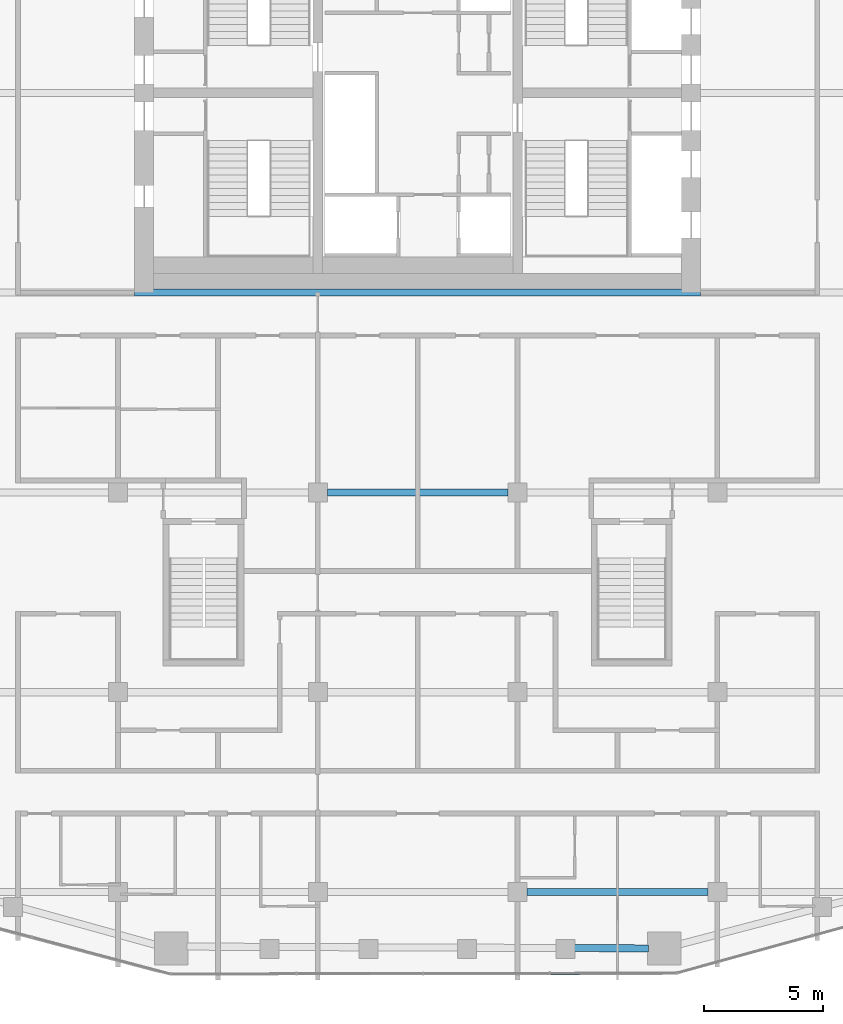
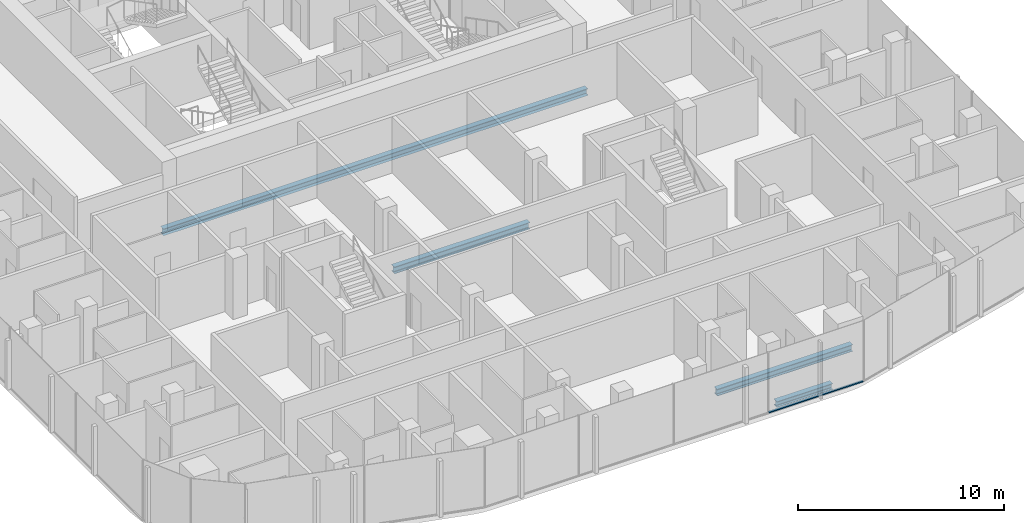
# One storey, part 5 of 22: 4 beams, 1 member, 1 element without a shape of its own.
"""IFC4 building model written with IfcOpenShell, lengths in metres."""

from ifc_helpers import new_model, si_unit, direction, frame, origin, origin_2d, place, context, subcontext, project, spatial, rectangle, i_section, extrude, material, layer, layer_set, material_profile, profile_set, type_object, element, aggregate, save


model = new_model("IFC4")

# Units and contexts
model_context = context("Model", 3, precision=1e-05, world=origin(), true_north=direction((0.0, 1.0)))
body_context = subcontext(model_context, "Body", "Model", "MODEL_VIEW")
ifc_project = project(units=[si_unit("LENGTHUNIT", "METRE"), si_unit("AREAUNIT", "SQUARE_METRE"), si_unit("VOLUMEUNIT", "CUBIC_METRE"), si_unit("PLANEANGLEUNIT", "RADIAN"), si_unit("MASSUNIT", "GRAM", prefix="KILO")], contexts=[model_context])

# Site, building, storey
site_placement = place(None, origin())
site = spatial("IfcSite", under=ifc_project, at=site_placement, CompositionType="ELEMENT")
building_placement = place(site_placement, origin())
building = spatial("IfcBuilding", under=site, at=building_placement, Name="Marenta Gate Hotel Tower", CompositionType="ELEMENT")
storey_placement = place(building_placement, frame((0.0, 0.0, 187.699951171875)))
storey = spatial("IfcBuildingStorey", under=building, at=storey_placement, Name="L42", CompositionType="ELEMENT", Elevation=187.699951171875)

# Beams
ifc_material_1 = material(Name="Steel S355", Category="steel")
ifc_material_profile_1 = material_profile(ifc_material_1, i_section(OverallWidth=0.300048828125, OverallDepth=0.340087890625, WebThickness=0.011962890625, FlangeThickness=0.021484375, FilletRadius=0.027099609375, at=origin_2d()), Name="HEB 340")
ifc_profile_set_1 = profile_set([ifc_material_profile_1], Name="Steel S355")
beam_type_1 = type_object("IfcBeamType", Name="Edge beam HEB 340", PredefinedType="SPANDREL", material=ifc_profile_set_1)
beam_1_placement = place(storey_placement, frame((9.706298828125, -27.570068359375, -0.429931640625), z_axis=(-0.999992678531, 0.003826602206, 0.0), x_axis=(-0.003826602206, -0.999992678531, 0.0)))
element("IfcBeam", 1, at=beam_1_placement, inside=storey, type_object=beam_type_1, Name="L42-EB-32", PredefinedType="SPANDREL", context=body_context, shape_type="SweptSolid", body=[
    extrude(i_section(OverallWidth=0.300048828125, OverallDepth=0.340087890625, WebThickness=0.011962890625, FlangeThickness=0.021484375, FilletRadius=0.027099609375, at=origin_2d()), origin(), (0.0, 0.0, 1.0), 3.126220703125),
])
ifc_material_2 = material(Name="Steel S355", Category="steel")
ifc_material_profile_2 = material_profile(ifc_material_2, i_section(OverallWidth=0.300048828125, OverallDepth=0.39990234375, WebThickness=0.013427734375, FlangeThickness=0.02392578125, FilletRadius=0.027099609375, at=origin_2d()), Name="HEB 400")
ifc_profile_set_2 = profile_set([ifc_material_profile_2], Name="Steel S355")
beam_type_2 = type_object("IfcBeamType", Name="Girder HEB 400", PredefinedType="BEAM", material=ifc_profile_set_2)
beam_2_placement = place(storey_placement, frame((4.60009765625, -25.199951171875, -0.4599609375), z_axis=(1.0, 0.0, 0.0), x_axis=(0.0, 1.0, 0.0)))
element("IfcBeam", 2, at=beam_2_placement, inside=storey, type_object=beam_type_2, Name="L42-GD-4", PredefinedType="BEAM", context=body_context, shape_type="SweptSolid", body=[
    extrude(i_section(OverallWidth=0.300048828125, OverallDepth=0.39990234375, WebThickness=0.013427734375, FlangeThickness=0.02392578125, FilletRadius=0.027099609375, at=origin_2d()), origin(), (0.0, 0.0, 1.0), 7.599853515625),
])
beam_3_placement = place(storey_placement, frame((-3.800048828125, -8.39990234375, -0.4599609375), z_axis=(1.0, 0.0, 0.0), x_axis=(0.0, 1.0, 0.0)))
element("IfcBeam", 3, at=beam_3_placement, inside=storey, type_object=beam_type_2, Name="L42-GD-16", PredefinedType="BEAM", context=body_context, shape_type="SweptSolid", body=[
    extrude(i_section(OverallWidth=0.300048828125, OverallDepth=0.39990234375, WebThickness=0.013427734375, FlangeThickness=0.02392578125, FilletRadius=0.027099609375, at=origin_2d()), origin(), (0.0, 0.0, 1.0), 7.60009765625),
])
beam_4_placement = place(storey_placement, frame((-11.89990234375, 0.0, -0.4599609375), z_axis=(1.0, 0.0, 0.0), x_axis=(0.0, 1.0, 0.0)))
element("IfcBeam", 4, at=beam_4_placement, inside=storey, type_object=beam_type_2, Name="L42-GD-22", PredefinedType="BEAM", context=body_context, shape_type="SweptSolid", body=[
    extrude(i_section(OverallWidth=0.300048828125, OverallDepth=0.39990234375, WebThickness=0.013427734375, FlangeThickness=0.02392578125, FilletRadius=0.027099609375, at=origin_2d()), origin(), (0.0, 0.0, 1.0), 23.7998046875),
])

# Curtain wall, member
ifc_material_3 = material(Name="Tinted insulated glass in bronze anodised frame", Category="glass")
ifc_layer = layer(ifc_material_3, 0.1201171875)
ifc_layer_set = layer_set([ifc_layer], Name="Tinted insulated glass in bronze anodised frame")
curtain_wall_type = type_object("IfcCurtainWallType", Name="Tower unitised curtain wall CW1", PredefinedType="NOTDEFINED", material=ifc_layer_set)
curtain_wall_placement = place(storey_placement, origin())
curtain_wall = element("IfcCurtainWall", 5, at=curtain_wall_placement, inside=storey, type_object=curtain_wall_type, Name="CW1 run G07", PredefinedType="NOTDEFINED")
ifc_material_4 = material(Name="Bronze anodised aluminium", Category="aluminium")
ifc_material_profile_3 = material_profile(ifc_material_4, rectangle(XDim=0.1201171875, YDim=0.06005859375, at=origin_2d()), Name="Transom CW1 60x120 bronze anodised aluminium")
ifc_profile_set_3 = profile_set([ifc_material_profile_3], Name="Bronze anodised aluminium")
member_type = type_object("IfcMemberType", Name="Transom CW1 60x120 bronze anodised aluminium", PredefinedType="USERDEFINED", material=ifc_profile_set_3)
member_placement = place(storey_placement, frame((5.583740234375, -28.62109375, 0.030029296875), z_axis=(0.999998695429, 0.001615283106, 0.0), x_axis=(-0.001615283106, 0.999998695429, 0.0)))
member = element("IfcMember", 6, at=member_placement, type_object=member_type, Name="CW1 transom 4.1", ObjectType="TRANSOM", PredefinedType="USERDEFINED", context=body_context, shape_type="SweptSolid", body=[
    extrude(rectangle(XDim=0.1201171875, YDim=0.06005859375, at=origin_2d()), origin(), (0.0, 0.0, 1.0), 5.2900390625),
])
aggregate(curtain_wall, [member])

save(model, "model.ifc")
